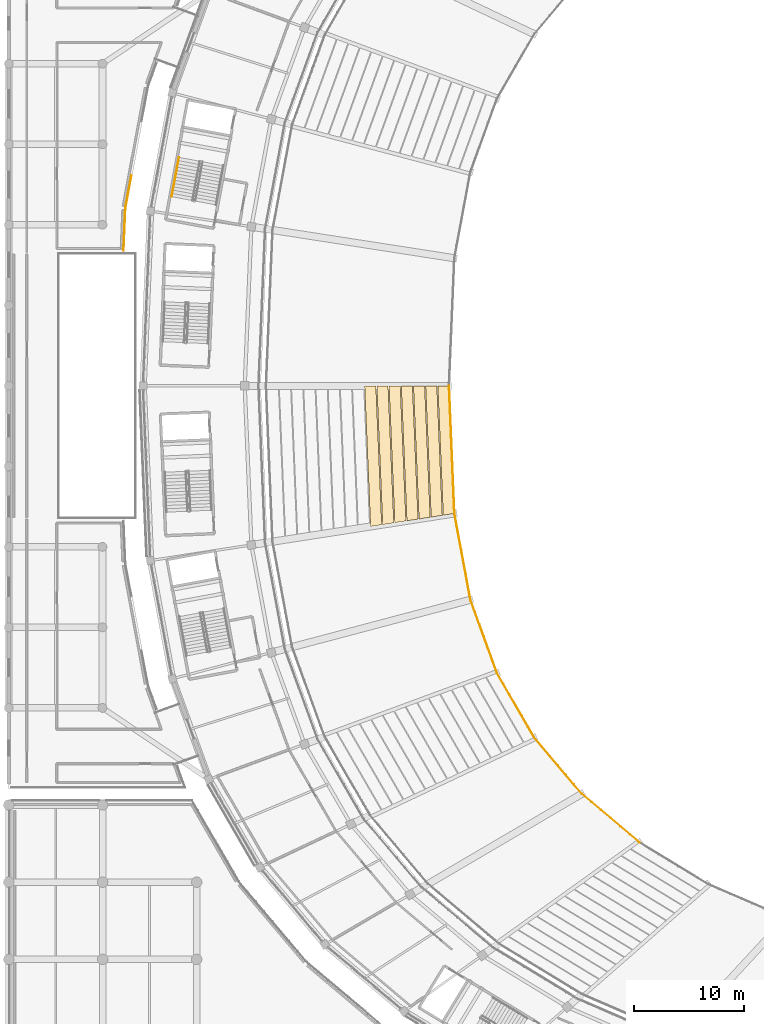
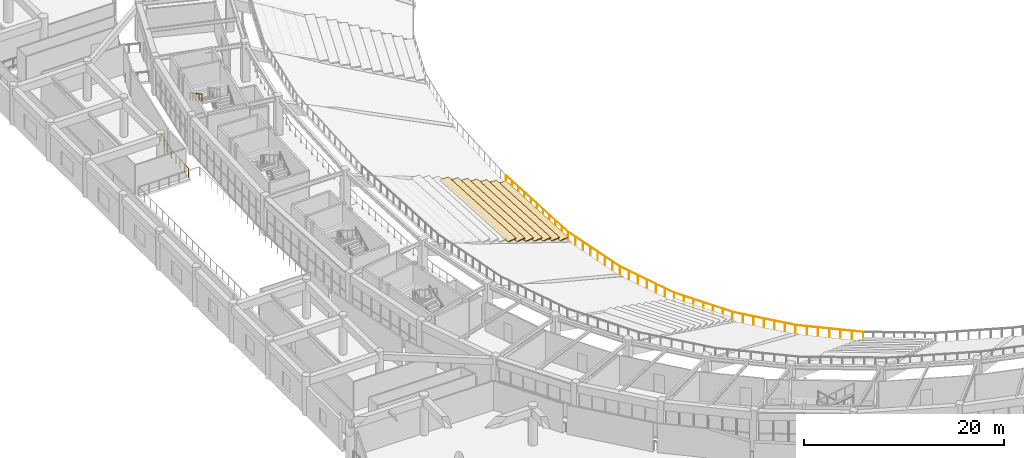
# One storey, part 120 of 137: 7 coverings, 3 railings.
"""IFC4 building model written with IfcOpenShell, lengths in metres."""

from ifc_helpers import new_model, si_unit, direction, frame, origin, origin_2d, place, context, subcontext, project, spatial, polyline, circle, outline, extrude, material, layer, layer_set, type_object, element, save


model = new_model("IFC4")

# Units and contexts
model_context = context("Model", 3, precision=1e-05, world=origin(), true_north=direction((0.0, 1.0)))
body_context = subcontext(model_context, "Body", "Model", "MODEL_VIEW")
ifc_project = project(units=[si_unit("LENGTHUNIT", "METRE"), si_unit("AREAUNIT", "SQUARE_METRE"), si_unit("VOLUMEUNIT", "CUBIC_METRE"), si_unit("PLANEANGLEUNIT", "RADIAN"), si_unit("MASSUNIT", "GRAM", prefix="KILO")], contexts=[model_context])

# Site, building, storey
site_placement = place(None, origin())
site = spatial("IfcSite", under=ifc_project, at=site_placement, CompositionType="ELEMENT")
building_placement = place(site_placement, origin())
building = spatial("IfcBuilding", under=site, at=building_placement, Name="Mphavela Belvedere Stadium", CompositionType="ELEMENT")
storey_placement = place(building_placement, frame((0.0, 0.0, 19.199951171875)))
storey = spatial("IfcBuildingStorey", under=building, at=storey_placement, Name="L04", CompositionType="ELEMENT", Elevation=19.199951171875)

# Coverings
ifc_material_1 = material(Name="Precast seating row terrazzo finish", Category="concrete")
ifc_layer = layer(ifc_material_1, 0.1201171875)
ifc_layer_set = layer_set([ifc_layer], Name="Precast seating row terrazzo finish")
covering_type = type_object("IfcCoveringType", Name="COV-SEAT-ROW-U", PredefinedType="FLOORING", material=ifc_layer_set)
covering_1_placement = place(storey_placement, frame((0.0, 0.0, -3.4033203125)))
element("IfcCovering", 1, at=covering_1_placement, inside=storey, type_object=covering_type, Name="Upper stand seating row bench B25-R01", PredefinedType="FLOORING", context=body_context, shape_type="SweptSolid", body=[
    extrude(outline(polyline([(39.922119140625, 87.0), (40.4072265625, 75.43017578125), (39.396484375, 75.2734375), (38.90478515625, 87.0), (39.922119140625, 87.0)])), origin(), (0.0, 0.0, 1.0), 0.1201171875),
])
covering_2_placement = place(storey_placement, frame((0.0, 0.0, -2.936767578125)))
element("IfcCovering", 2, at=covering_2_placement, inside=storey, type_object=covering_type, Name="Upper stand seating row bench B25-R02", PredefinedType="FLOORING", context=body_context, shape_type="SweptSolid", body=[
    extrude(outline(polyline([(38.816162109375, 87.0), (39.30859375, 75.259765625), (38.2978515625, 75.10302734375), (37.798828125, 87.0), (38.816162109375, 87.0)])), origin(), (0.0, 0.0, 1.0), 0.1201171875),
])
covering_3_placement = place(storey_placement, frame((0.0, 0.0, -2.469970703125)))
element("IfcCovering", 3, at=covering_3_placement, inside=storey, type_object=covering_type, Name="Upper stand seating row bench B25-R03", PredefinedType="FLOORING", context=body_context, shape_type="SweptSolid", body=[
    extrude(outline(polyline([(37.71044921875, 87.0), (38.2099609375, 75.08935546875), (37.19921875, 74.9326171875), (36.693115234375, 87.0), (37.71044921875, 87.0)])), origin(), (0.0, 0.0, 1.0), 0.1201171875),
])
covering_4_placement = place(storey_placement, frame((0.0, 0.0, -2.003173828125)))
element("IfcCovering", 4, at=covering_4_placement, inside=storey, type_object=covering_type, Name="Upper stand seating row bench B25-R04", PredefinedType="FLOORING", context=body_context, shape_type="SweptSolid", body=[
    extrude(outline(polyline([(36.6044921875, 87.0), (37.111328125, 74.9189453125), (36.1005859375, 74.76220703125), (35.58740234375, 87.0), (36.6044921875, 87.0)])), origin(), (0.0, 0.0, 1.0), 0.119873046875),
])
covering_5_placement = place(storey_placement, frame((0.0, 0.0, -1.53662109375)))
element("IfcCovering", 5, at=covering_5_placement, inside=storey, type_object=covering_type, Name="Upper stand seating row bench B25-R05", PredefinedType="FLOORING", context=body_context, shape_type="SweptSolid", body=[
    extrude(outline(polyline([(35.498779296875, 87.0), (36.0126953125, 74.74853515625), (35.001953125, 74.591796875), (34.4814453125, 87.0), (35.498779296875, 87.0)])), origin(), (0.0, 0.0, 1.0), 0.119873046875),
])
covering_6_placement = place(storey_placement, frame((0.0, 0.0, -1.070068359375)))
element("IfcCovering", 6, at=covering_6_placement, inside=storey, type_object=covering_type, Name="Upper stand seating row bench B25-R06", PredefinedType="FLOORING", context=body_context, shape_type="SweptSolid", body=[
    extrude(outline(polyline([(34.39306640625, 87.0), (34.9140625, 74.578125), (33.9033203125, 74.42138671875), (33.375732421875, 87.0), (34.39306640625, 87.0)])), origin(), (0.0, 0.0, 1.0), 0.1201171875),
])
covering_7_placement = place(storey_placement, frame((0.0, 0.0, -0.603271484375)))
element("IfcCovering", 7, at=covering_7_placement, inside=storey, type_object=covering_type, Name="Upper stand seating row bench B25-R07", PredefinedType="FLOORING", context=body_context, shape_type="SweptSolid", body=[
    extrude(outline(polyline([(33.287109375, 87.0), (33.8154296875, 74.40771484375), (32.8046875, 74.2509765625), (32.27001953125, 87.0), (33.287109375, 87.0)])), origin(), (0.0, 0.0, 1.0), 0.1201171875),
])

# Railings
ifc_material_2 = material(Name="Bronze and laminated glass stadium balustrade", Category="glass")
railing_type_1 = type_object("IfcRailingType", Name="RAL-BALUSTRADE-1120", PredefinedType="BALUSTRADE", material=ifc_material_2)
railing_1_placement = place(storey_placement, frame((39.922119140625, 87.0, -3.75)))
element("IfcRailing", 8, at=railing_1_placement, inside=storey, type_object=railing_type_1, Name="Bowl safety balustrade t2_front S5", PredefinedType="BALUSTRADE", context=body_context, shape_type="SweptSolid", body=[
    extrude(circle(Radius=0.02392578125, at=origin_2d()), frame((0.0, 0.0, 1.09619140625), z_axis=(0.04189186986, -0.99912215031, 0.0), x_axis=(0.99912215031, 0.04189186986, 0.0)), (0.0, 0.0, 1.0), 11.580078125),
    extrude(circle(Radius=0.02392578125, at=origin_2d()), frame((0.485107421875, -11.56982421875, 1.09619140625), z_axis=(0.18262523239, -0.983182599772, 0.0), x_axis=(0.983182599772, 0.18262523239, 0.0)), (0.0, 0.0, 1.0), 7.95947265625),
    extrude(circle(Radius=0.02392578125, at=origin_2d()), frame((1.938720703125, -19.3955078125, 1.09619140625), z_axis=(0.341056708776, -0.940042723178, 0.0), x_axis=(0.940042723178, 0.341056708776, 0.0)), (0.0, 0.0, 1.0), 7.083984375),
    extrude(circle(Radius=0.02392578125, at=origin_2d()), frame((4.354736328125, -26.0546875, 1.09619140625), z_axis=(0.500531411911, -0.865718375507, 0.0), x_axis=(0.865718375507, 0.500531411911, 0.0)), (0.0, 0.0, 1.0), 6.730224609375),
    extrude(circle(Radius=0.02392578125, at=origin_2d()), frame((7.723388671875, -31.881103515625, 1.09619140625), z_axis=(0.645180343886, -0.764030316063, 0.0), x_axis=(0.764030316063, 0.645180343886, 0.0)), (0.0, 0.0, 1.0), 6.682373046875),
    extrude(circle(Radius=0.02392578125, at=origin_2d()), frame((12.03466796875, -36.986572265625, 1.09619140625), z_axis=(0.764246549785, -0.644924190229, 0.0), x_axis=(0.644924190229, 0.764246549785, 0.0)), (0.0, 0.0, 1.0), 6.862548828125),
    extrude(circle(Radius=0.02099609375, at=origin_2d()), origin(), (0.0, 0.0, 1.0), 1.072021484375),
    extrude(circle(Radius=0.02099609375, at=origin_2d()), frame((0.048583984375, -1.156982421875, 0.0)), (0.0, 0.0, 1.0), 1.072021484375),
    extrude(circle(Radius=0.02099609375, at=origin_2d()), frame((0.096923828125, -2.31396484375, 0.0)), (0.0, 0.0, 1.0), 1.072021484375),
    extrude(circle(Radius=0.02099609375, at=origin_2d()), frame((0.1455078125, -3.470947265625, 0.0)), (0.0, 0.0, 1.0), 1.072021484375),
    extrude(circle(Radius=0.02099609375, at=origin_2d()), frame((0.194091796875, -4.6279296875, 0.0)), (0.0, 0.0, 1.0), 1.072021484375),
    extrude(circle(Radius=0.02099609375, at=origin_2d()), frame((0.24267578125, -5.784912109375, 0.0)), (0.0, 0.0, 1.0), 1.072021484375),
    extrude(circle(Radius=0.02099609375, at=origin_2d()), frame((0.291015625, -6.94189453125, 0.0)), (0.0, 0.0, 1.0), 1.072021484375),
    extrude(circle(Radius=0.02099609375, at=origin_2d()), frame((0.339599609375, -8.098876953125, 0.0)), (0.0, 0.0, 1.0), 1.072021484375),
    extrude(circle(Radius=0.02099609375, at=origin_2d()), frame((0.38818359375, -9.255859375, 0.0)), (0.0, 0.0, 1.0), 1.072021484375),
    extrude(circle(Radius=0.02099609375, at=origin_2d()), frame((0.4365234375, -10.412841796875, 0.0)), (0.0, 0.0, 1.0), 1.072021484375),
    extrude(circle(Radius=0.02099609375, at=origin_2d()), frame((0.485107421875, -11.56982421875, 0.0)), (0.0, 0.0, 1.0), 1.072021484375),
    extrude(circle(Radius=0.02099609375, at=origin_2d()), frame((0.69287109375, -12.687744140625, 0.0)), (0.0, 0.0, 1.0), 1.072021484375),
    extrude(circle(Radius=0.02099609375, at=origin_2d()), frame((0.900390625, -13.8056640625, 0.0)), (0.0, 0.0, 1.0), 1.072021484375),
    extrude(circle(Radius=0.02099609375, at=origin_2d()), frame((1.108154296875, -14.923583984375, 0.0)), (0.0, 0.0, 1.0), 1.072021484375),
    extrude(circle(Radius=0.02099609375, at=origin_2d()), frame((1.315673828125, -16.041748046875, 0.0)), (0.0, 0.0, 1.0), 1.072021484375),
    extrude(circle(Radius=0.02099609375, at=origin_2d()), frame((1.5234375, -17.15966796875, 0.0)), (0.0, 0.0, 1.0), 1.072021484375),
    extrude(circle(Radius=0.02099609375, at=origin_2d()), frame((1.73095703125, -18.277587890625, 0.0)), (0.0, 0.0, 1.0), 1.072021484375),
    extrude(circle(Radius=0.02099609375, at=origin_2d()), frame((1.938720703125, -19.3955078125, 0.0)), (0.0, 0.0, 1.0), 1.072021484375),
    extrude(circle(Radius=0.02099609375, at=origin_2d()), frame((2.34130859375, -20.50537109375, 0.0)), (0.0, 0.0, 1.0), 1.072021484375),
    extrude(circle(Radius=0.02099609375, at=origin_2d()), frame((2.744140625, -21.615234375, 0.0)), (0.0, 0.0, 1.0), 1.072021484375),
    extrude(circle(Radius=0.02099609375, at=origin_2d()), frame((3.146728515625, -22.72509765625, 0.0)), (0.0, 0.0, 1.0), 1.072021484375),
    extrude(circle(Radius=0.02099609375, at=origin_2d()), frame((3.54931640625, -23.8349609375, 0.0)), (0.0, 0.0, 1.0), 1.072021484375),
    extrude(circle(Radius=0.02099609375, at=origin_2d()), frame((3.9521484375, -24.94482421875, 0.0)), (0.0, 0.0, 1.0), 1.072021484375),
    extrude(circle(Radius=0.02099609375, at=origin_2d()), frame((4.354736328125, -26.0546875, 0.0)), (0.0, 0.0, 1.0), 1.072021484375),
    extrude(circle(Radius=0.02099609375, at=origin_2d()), frame((4.916259765625, -27.02587890625, 0.0)), (0.0, 0.0, 1.0), 1.072021484375),
    extrude(circle(Radius=0.02099609375, at=origin_2d()), frame((5.4775390625, -27.996826171875, 0.0)), (0.0, 0.0, 1.0), 1.072021484375),
    extrude(circle(Radius=0.02099609375, at=origin_2d()), frame((6.0390625, -28.9677734375, 0.0)), (0.0, 0.0, 1.0), 1.072021484375),
    extrude(circle(Radius=0.02099609375, at=origin_2d()), frame((6.6005859375, -29.93896484375, 0.0)), (0.0, 0.0, 1.0), 1.072021484375),
    extrude(circle(Radius=0.02099609375, at=origin_2d()), frame((7.161865234375, -30.91015625, 0.0)), (0.0, 0.0, 1.0), 1.072021484375),
    extrude(circle(Radius=0.02099609375, at=origin_2d()), frame((7.723388671875, -31.881103515625, 0.0)), (0.0, 0.0, 1.0), 1.072021484375),
    extrude(circle(Radius=0.02099609375, at=origin_2d()), frame((8.44189453125, -32.73193359375, 0.0)), (0.0, 0.0, 1.0), 1.072021484375),
    extrude(circle(Radius=0.02099609375, at=origin_2d()), frame((9.160400390625, -33.5830078125, 0.0)), (0.0, 0.0, 1.0), 1.072021484375),
    extrude(circle(Radius=0.02099609375, at=origin_2d()), frame((9.87890625, -34.433837890625, 0.0)), (0.0, 0.0, 1.0), 1.072021484375),
    extrude(circle(Radius=0.02099609375, at=origin_2d()), frame((10.59765625, -35.28466796875, 0.0)), (0.0, 0.0, 1.0), 1.072021484375),
    extrude(circle(Radius=0.02099609375, at=origin_2d()), frame((11.316162109375, -36.1357421875, 0.0)), (0.0, 0.0, 1.0), 1.072021484375),
    extrude(circle(Radius=0.02099609375, at=origin_2d()), frame((12.03466796875, -36.986572265625, 0.0)), (0.0, 0.0, 1.0), 1.072021484375),
    extrude(circle(Radius=0.02099609375, at=origin_2d()), frame((12.90869140625, -37.72412109375, 0.0)), (0.0, 0.0, 1.0), 1.072021484375),
    extrude(circle(Radius=0.02099609375, at=origin_2d()), frame((13.782958984375, -38.4619140625, 0.0)), (0.0, 0.0, 1.0), 1.072021484375),
    extrude(circle(Radius=0.02099609375, at=origin_2d()), frame((14.656982421875, -39.199462890625, 0.0)), (0.0, 0.0, 1.0), 1.072021484375),
    extrude(circle(Radius=0.02099609375, at=origin_2d()), frame((15.531005859375, -39.93701171875, 0.0)), (0.0, 0.0, 1.0), 1.072021484375),
    extrude(circle(Radius=0.02099609375, at=origin_2d()), frame((16.4052734375, -40.6748046875, 0.0)), (0.0, 0.0, 1.0), 1.072021484375),
    extrude(circle(Radius=0.02099609375, at=origin_2d()), frame((17.279296875, -41.412353515625, 0.0)), (0.0, 0.0, 1.0), 1.072021484375),
])
railing_2_placement = place(storey_placement, frame((11.12158203125, 106.053466796875, 0.0)))
element("IfcRailing", 9, at=railing_2_placement, inside=storey, type_object=railing_type_1, Name="Peristyle wing gallery edge balustrade L04-55", PredefinedType="BALUSTRADE", context=body_context, shape_type="SweptSolid", body=[
    extrude(circle(Radius=0.02392578125, at=origin_2d()), frame((0.0, 0.0, 1.09619140625), z_axis=(-0.182689544832, -0.983170651621, 0.0), x_axis=(0.983170651621, -0.182689544832, 0.0)), (0.0, 0.0, 1.0), 2.83984375),
    extrude(circle(Radius=0.02392578125, at=origin_2d()), frame((-0.518798828125, -2.7919921875, 1.09619140625), z_axis=(-0.113134174083, -0.993579719325, 0.0), x_axis=(0.993579719325, -0.113134174083, 0.0)), (0.0, 0.0, 1.0), 0.317138671875),
    extrude(circle(Radius=0.02392578125, at=origin_2d()), frame((-0.5546875, -3.107177734375, 1.09619140625), z_axis=(-0.041915584211, -0.999121155716, 0.0), x_axis=(0.999121155716, -0.041915584211, 0.0)), (0.0, 0.0, 1.0), 3.66943359375),
    extrude(circle(Radius=0.02099609375, at=origin_2d()), origin(), (0.0, 0.0, 1.0), 1.072021484375),
    extrude(circle(Radius=0.02099609375, at=origin_2d()), frame((-0.1728515625, -0.9306640625, 0.0)), (0.0, 0.0, 1.0), 1.072021484375),
    extrude(circle(Radius=0.02099609375, at=origin_2d()), frame((-0.345947265625, -1.861328125, 0.0)), (0.0, 0.0, 1.0), 1.072021484375),
    extrude(circle(Radius=0.02099609375, at=origin_2d()), frame((-0.518798828125, -2.7919921875, 0.0)), (0.0, 0.0, 1.0), 1.072021484375),
    extrude(circle(Radius=0.02099609375, at=origin_2d()), frame((-0.5546875, -3.107177734375, 0.0)), (0.0, 0.0, 1.0), 1.072021484375),
    extrude(circle(Radius=0.02099609375, at=origin_2d()), frame((-0.59326171875, -4.023681640625, 0.0)), (0.0, 0.0, 1.0), 1.072021484375),
    extrude(circle(Radius=0.02099609375, at=origin_2d()), frame((-0.631591796875, -4.9404296875, 0.0)), (0.0, 0.0, 1.0), 1.072021484375),
    extrude(circle(Radius=0.02099609375, at=origin_2d()), frame((-0.669921875, -5.85693359375, 0.0)), (0.0, 0.0, 1.0), 1.072021484375),
    extrude(circle(Radius=0.02099609375, at=origin_2d()), frame((-0.70849609375, -6.7734375, 0.0)), (0.0, 0.0, 1.0), 1.072021484375),
])
ifc_material_3 = material(Name="Brushed stainless steel tubular handrail", Category="steel")
railing_type_2 = type_object("IfcRailingType", Name="RAL-HANDRAIL-900", PredefinedType="HANDRAIL", material=ifc_material_3)
railing_3_placement = place(storey_placement, frame((15.43603515625, 107.713134765625, 2.584716796875)))
element("IfcRailing", 10, at=railing_3_placement, inside=storey, type_object=railing_type_2, Name="L04 ST-C06 stair handrail 2", PredefinedType="HANDRAIL", context=body_context, shape_type="SweptSolid", body=[
    extrude(circle(Radius=0.02392578125, at=origin_2d()), frame((0.0, 0.0, 0.8759765625), z_axis=(-0.155763693288, -0.838882326027, 0.521549724315), x_axis=(0.983194782323, -0.182559634128, 0.0)), (0.0, 0.0, 1.0), 4.24755859375),
    extrude(circle(Radius=0.02099609375, at=origin_2d()), origin(), (0.0, 0.0, 1.0), 0.851806640625),
    extrude(circle(Radius=0.02099609375, at=origin_2d()), frame((-0.16552734375, -0.890869140625, 0.5537109375)), (0.0, 0.0, 1.0), 0.851806640625),
    extrude(circle(Radius=0.02099609375, at=origin_2d()), frame((-0.330810546875, -1.78173828125, 1.107666015625)), (0.0, 0.0, 1.0), 0.851806640625),
    extrude(circle(Radius=0.02099609375, at=origin_2d()), frame((-0.49609375, -2.67236328125, 1.66162109375)), (0.0, 0.0, 1.0), 0.851806640625),
    extrude(circle(Radius=0.02099609375, at=origin_2d()), frame((-0.66162109375, -3.563232421875, 2.21533203125)), (0.0, 0.0, 1.0), 0.851806640625),
])

save(model, "model.ifc")
